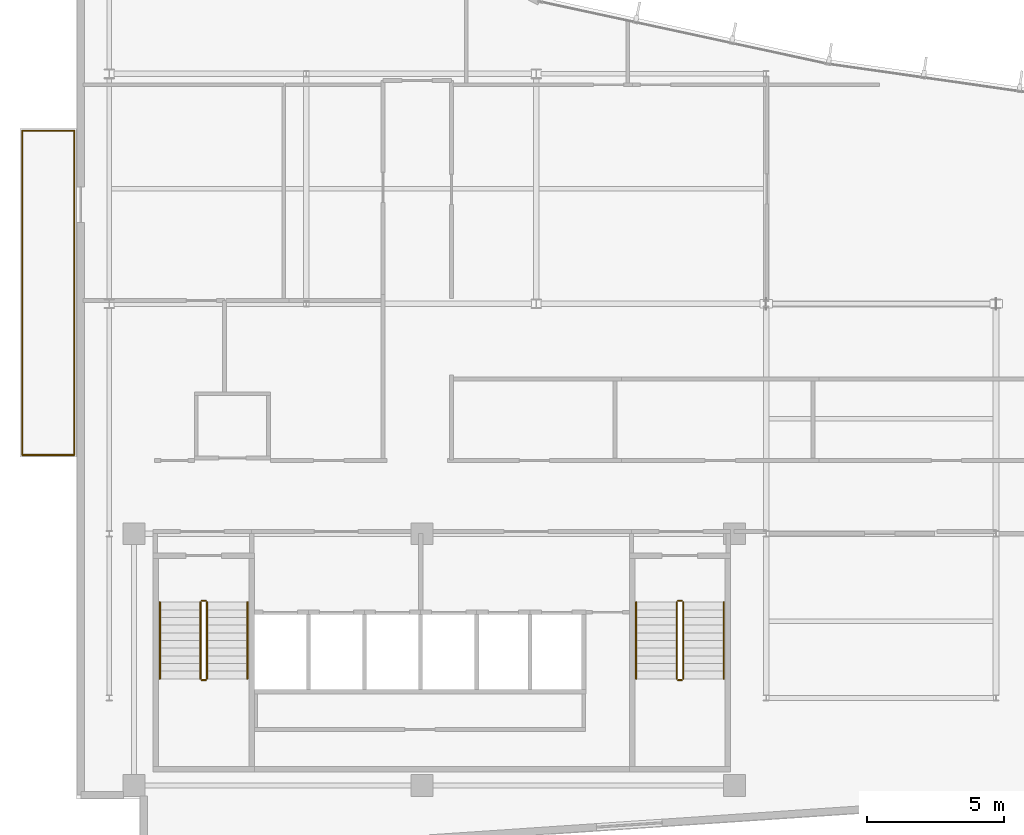
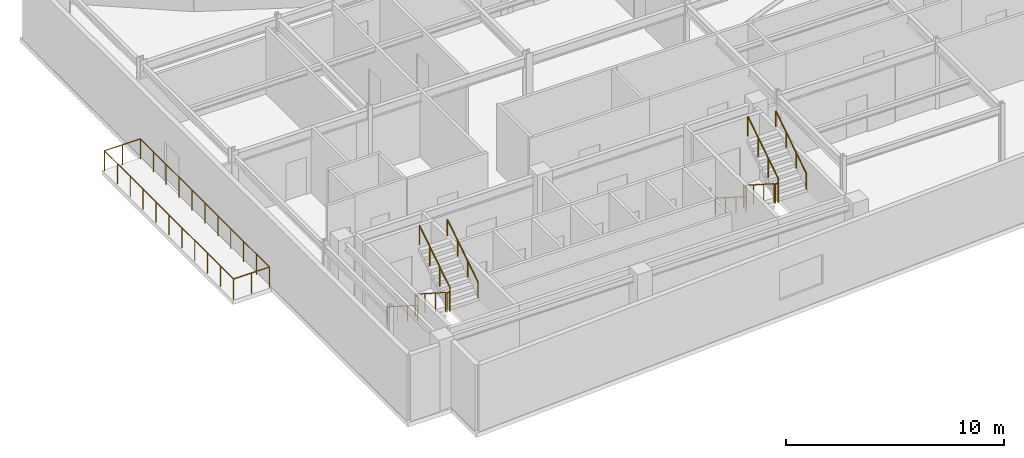
# One storey, part 14 of 16: 16 railings.
"""IFC4 building model written with IfcOpenShell, lengths in metres."""

from ifc_helpers import new_model, si_unit, direction, frame, origin, origin_2d, place, context, subcontext, project, spatial, circle, extrude, material, type_object, element, save


model = new_model("IFC4")

# Units and contexts
model_context = context("Model", 3, precision=1e-05, world=origin(), true_north=direction((0.0, 1.0)))
body_context = subcontext(model_context, "Body", "Model", "MODEL_VIEW")
ifc_project = project(units=[si_unit("LENGTHUNIT", "METRE"), si_unit("AREAUNIT", "SQUARE_METRE"), si_unit("VOLUMEUNIT", "CUBIC_METRE"), si_unit("PLANEANGLEUNIT", "RADIAN"), si_unit("MASSUNIT", "GRAM", prefix="KILO")], contexts=[model_context])

# Site, building, storey
site_placement = place(None, origin())
site = spatial("IfcSite", under=ifc_project, at=site_placement, CompositionType="ELEMENT")
building_placement = place(site_placement, origin())
building = spatial("IfcBuilding", under=site, at=building_placement, Name="Varnakote Quay Hospital", CompositionType="ELEMENT")
storey_placement = place(building_placement, frame((0.0, 0.0, 288.14990234375)))
storey = spatial("IfcBuildingStorey", under=building, at=storey_placement, Name="L71", CompositionType="ELEMENT", Elevation=288.14990234375)

# Railings
ifc_material_1 = material(Name="Anodised aluminium 6063-T6 Bronze", Category="aluminium")
railing_type_1 = type_object("IfcRailingType", Name="RLG-EXT-GUARD-1150", PredefinedType="GUARDRAIL", material=ifc_material_1)
railing_1_placement = place(storey_placement, frame((-0.075927734375, 14.8798828125, 0.0)))
element("IfcRailing", 1, at=railing_1_placement, inside=storey, type_object=railing_type_1, Name="L71 Zigzag Prow Healing Terrace Safety Guard", PredefinedType="GUARDRAIL", context=body_context, shape_type="SweptSolid", body=[
    extrude(circle(Radius=0.02392578125, at=origin_2d()), frame((0.0, 0.0, 1.1259765625), z_axis=(-1.0, 0.0, 0.0), x_axis=(0.0, -1.0, 0.0)), (0.0, 0.0, 1.0), 1.904052734375),
    extrude(circle(Radius=0.02099609375, at=origin_2d()), origin(), (0.0, 0.0, 1.0), 1.101806640625),
    extrude(circle(Radius=0.02099609375, at=origin_2d()), frame((-0.9521484375, 0.0, 0.0)), (0.0, 0.0, 1.0), 1.101806640625),
    extrude(circle(Radius=0.02099609375, at=origin_2d()), frame((-1.904052734375, 0.0, 0.0)), (0.0, 0.0, 1.0), 1.101806640625),
])
railing_2_placement = place(storey_placement, frame((-1.97998046875, 14.8798828125, 0.0)))
element("IfcRailing", 2, at=railing_2_placement, inside=storey, type_object=railing_type_1, Name="L71 Zigzag Prow Healing Terrace Safety Guard", PredefinedType="GUARDRAIL", context=body_context, shape_type="SweptSolid", body=[
    extrude(circle(Radius=0.02392578125, at=origin_2d()), frame((0.0, 0.0, 1.1259765625), z_axis=(0.0, 1.0, 0.0), x_axis=(-1.0, 0.0, 0.0)), (0.0, 0.0, 1.0), 11.840087890625),
    extrude(circle(Radius=0.02099609375, at=origin_2d()), origin(), (0.0, 0.0, 1.0), 1.101806640625),
    extrude(circle(Radius=0.02099609375, at=origin_2d()), frame((0.0, 1.18408203125, 0.0)), (0.0, 0.0, 1.0), 1.101806640625),
    extrude(circle(Radius=0.02099609375, at=origin_2d()), frame((0.0, 2.367919921875, 0.0)), (0.0, 0.0, 1.0), 1.101806640625),
    extrude(circle(Radius=0.02099609375, at=origin_2d()), frame((0.0, 3.552001953125, 0.0)), (0.0, 0.0, 1.0), 1.101806640625),
    extrude(circle(Radius=0.02099609375, at=origin_2d()), frame((0.0, 4.736083984375, 0.0)), (0.0, 0.0, 1.0), 1.101806640625),
    extrude(circle(Radius=0.02099609375, at=origin_2d()), frame((0.0, 5.919921875, 0.0)), (0.0, 0.0, 1.0), 1.101806640625),
    extrude(circle(Radius=0.02099609375, at=origin_2d()), frame((0.0, 7.10400390625, 0.0)), (0.0, 0.0, 1.0), 1.101806640625),
    extrude(circle(Radius=0.02099609375, at=origin_2d()), frame((0.0, 8.2880859375, 0.0)), (0.0, 0.0, 1.0), 1.101806640625),
    extrude(circle(Radius=0.02099609375, at=origin_2d()), frame((0.0, 9.47216796875, 0.0)), (0.0, 0.0, 1.0), 1.101806640625),
    extrude(circle(Radius=0.02099609375, at=origin_2d()), frame((0.0, 10.656005859375, 0.0)), (0.0, 0.0, 1.0), 1.101806640625),
    extrude(circle(Radius=0.02099609375, at=origin_2d()), frame((0.0, 11.840087890625, 0.0)), (0.0, 0.0, 1.0), 1.101806640625),
])
railing_3_placement = place(storey_placement, frame((-1.97998046875, 26.719970703125, 0.0)))
element("IfcRailing", 3, at=railing_3_placement, inside=storey, type_object=railing_type_1, Name="L71 Zigzag Prow Healing Terrace Safety Guard", PredefinedType="GUARDRAIL", context=body_context, shape_type="SweptSolid", body=[
    extrude(circle(Radius=0.02392578125, at=origin_2d()), frame((0.0, 0.0, 1.1259765625), z_axis=(1.0, 0.0, 0.0), x_axis=(0.0, 1.0, 0.0)), (0.0, 0.0, 1.0), 1.904052734375),
    extrude(circle(Radius=0.02099609375, at=origin_2d()), origin(), (0.0, 0.0, 1.0), 1.101806640625),
    extrude(circle(Radius=0.02099609375, at=origin_2d()), frame((0.9521484375, 0.0, 0.0)), (0.0, 0.0, 1.0), 1.101806640625),
    extrude(circle(Radius=0.02099609375, at=origin_2d()), frame((1.904052734375, 0.0, 0.0)), (0.0, 0.0, 1.0), 1.101806640625),
])
railing_4_placement = place(storey_placement, frame((-0.075927734375, 26.719970703125, 0.0)))
element("IfcRailing", 4, at=railing_4_placement, inside=storey, type_object=railing_type_1, Name="L71 Zigzag Prow Healing Terrace Safety Guard", PredefinedType="GUARDRAIL", context=body_context, shape_type="SweptSolid", body=[
    extrude(circle(Radius=0.02392578125, at=origin_2d()), frame((0.0, 0.0, 1.1259765625), z_axis=(0.0, -1.0, 0.0), x_axis=(1.0, 0.0, 0.0)), (0.0, 0.0, 1.0), 11.840087890625),
    extrude(circle(Radius=0.02099609375, at=origin_2d()), origin(), (0.0, 0.0, 1.0), 1.101806640625),
    extrude(circle(Radius=0.02099609375, at=origin_2d()), frame((0.0, -1.18408203125, 0.0)), (0.0, 0.0, 1.0), 1.101806640625),
    extrude(circle(Radius=0.02099609375, at=origin_2d()), frame((0.0, -2.367919921875, 0.0)), (0.0, 0.0, 1.0), 1.101806640625),
    extrude(circle(Radius=0.02099609375, at=origin_2d()), frame((0.0, -3.552001953125, 0.0)), (0.0, 0.0, 1.0), 1.101806640625),
    extrude(circle(Radius=0.02099609375, at=origin_2d()), frame((0.0, -4.736083984375, 0.0)), (0.0, 0.0, 1.0), 1.101806640625),
    extrude(circle(Radius=0.02099609375, at=origin_2d()), frame((0.0, -5.919921875, 0.0)), (0.0, 0.0, 1.0), 1.101806640625),
    extrude(circle(Radius=0.02099609375, at=origin_2d()), frame((0.0, -7.10400390625, 0.0)), (0.0, 0.0, 1.0), 1.101806640625),
    extrude(circle(Radius=0.02099609375, at=origin_2d()), frame((0.0, -8.2880859375, 0.0)), (0.0, 0.0, 1.0), 1.101806640625),
    extrude(circle(Radius=0.02099609375, at=origin_2d()), frame((0.0, -9.47216796875, 0.0)), (0.0, 0.0, 1.0), 1.101806640625),
    extrude(circle(Radius=0.02099609375, at=origin_2d()), frame((0.0, -10.656005859375, 0.0)), (0.0, 0.0, 1.0), 1.101806640625),
    extrude(circle(Radius=0.02099609375, at=origin_2d()), frame((0.0, -11.840087890625, 0.0)), (0.0, 0.0, 1.0), 1.101806640625),
])
ifc_material_2 = material(Name="Brushed stainless steel balustrade", Category="steel")
railing_type_2 = type_object("IfcRailingType", Name="RLG-STAIR-GUARD-1150", PredefinedType="GUARDRAIL", material=ifc_material_2)
railing_5_placement = place(storey_placement, frame((4.530029296875, 9.5, 0.1796875)))
element("IfcRailing", 5, at=railing_5_placement, inside=storey, type_object=railing_type_2, Name="L71 ST-01 stair guard 1", PredefinedType="GUARDRAIL", context=body_context, shape_type="SweptSolid", body=[
    extrude(circle(Radius=0.02392578125, at=origin_2d()), frame((0.0, 0.0, 1.076171875), z_axis=(0.0, -0.841809871826, 0.539774156196), x_axis=(1.0, 0.0, 0.0)), (0.0, 0.0, 1.0), 3.326171875),
    extrude(circle(Radius=0.02099609375, at=origin_2d()), origin(), (0.0, 0.0, 1.0), 1.052001953125),
    extrude(circle(Radius=0.02099609375, at=origin_2d()), frame((0.0, -0.933349609375, 0.598388671875)), (0.0, 0.0, 1.0), 1.052001953125),
    extrude(circle(Radius=0.02099609375, at=origin_2d()), frame((0.0, -1.86669921875, 1.197021484375)), (0.0, 0.0, 1.0), 1.052001953125),
    extrude(circle(Radius=0.02099609375, at=origin_2d()), frame((0.0, -2.800048828125, 1.79541015625)), (0.0, 0.0, 1.0), 1.052001953125),
])
railing_6_placement = place(storey_placement, frame((4.580078125, 6.64990234375, 1.97509765625)))
element("IfcRailing", 6, at=railing_6_placement, inside=storey, type_object=railing_type_2, Name="L71 ST-01 stair guard 2", PredefinedType="GUARDRAIL", context=body_context, shape_type="SweptSolid", body=[
    extrude(circle(Radius=0.02392578125, at=origin_2d()), frame((0.0, 0.0, 1.076171875), z_axis=(1.0, 0.0, 0.0), x_axis=(0.0, 1.0, 0.0)), (0.0, 0.0, 1.0), 0.139892578125),
    extrude(circle(Radius=0.02099609375, at=origin_2d()), origin(), (0.0, 0.0, 1.0), 1.052001953125),
    extrude(circle(Radius=0.02099609375, at=origin_2d()), frame((0.139892578125, 0.0, 0.0)), (0.0, 0.0, 1.0), 1.052001953125),
])
railing_7_placement = place(storey_placement, frame((4.77001953125, 6.699951171875, 2.154541015625)))
element("IfcRailing", 7, at=railing_7_placement, inside=storey, type_object=railing_type_2, Name="L71 ST-01 stair guard 3", PredefinedType="GUARDRAIL", context=body_context, shape_type="SweptSolid", body=[
    extrude(circle(Radius=0.02392578125, at=origin_2d()), frame((0.0, 0.0, 1.076171875), z_axis=(0.0, 0.841776520102, 0.539826166654), x_axis=(-1.0, 0.0, 0.0)), (0.0, 0.0, 1.0), 3.326416015625),
    extrude(circle(Radius=0.02099609375, at=origin_2d()), origin(), (0.0, 0.0, 1.0), 1.052001953125),
    extrude(circle(Radius=0.02099609375, at=origin_2d()), frame((0.0, 0.933349609375, 0.5986328125)), (0.0, 0.0, 1.0), 1.052001953125),
    extrude(circle(Radius=0.02099609375, at=origin_2d()), frame((0.0, 1.86669921875, 1.197021484375)), (0.0, 0.0, 1.0), 1.052001953125),
    extrude(circle(Radius=0.02099609375, at=origin_2d()), frame((0.0, 2.800048828125, 1.795654296875)), (0.0, 0.0, 1.0), 1.052001953125),
])
railing_8_placement = place(storey_placement, frame((4.580078125, 9.550048828125, 0.0)))
element("IfcRailing", 8, at=railing_8_placement, inside=storey, type_object=railing_type_2, Name="L71 ST-01 stair guard 4", PredefinedType="GUARDRAIL", context=body_context, shape_type="SweptSolid", body=[
    extrude(circle(Radius=0.02392578125, at=origin_2d()), frame((0.0, 0.0, 1.076171875), z_axis=(1.0, 0.0, 0.0), x_axis=(0.0, 1.0, 0.0)), (0.0, 0.0, 1.0), 0.139892578125),
    extrude(circle(Radius=0.02099609375, at=origin_2d()), origin(), (0.0, 0.0, 1.0), 1.052001953125),
    extrude(circle(Radius=0.02099609375, at=origin_2d()), frame((0.139892578125, 0.0, 0.0)), (0.0, 0.0, 1.0), 1.052001953125),
])
railing_9_placement = place(storey_placement, frame((21.929931640625, 9.5, 0.1796875)))
element("IfcRailing", 9, at=railing_9_placement, inside=storey, type_object=railing_type_2, Name="L71 ST-02 stair guard 1", PredefinedType="GUARDRAIL", context=body_context, shape_type="SweptSolid", body=[
    extrude(circle(Radius=0.02392578125, at=origin_2d()), frame((0.0, 0.0, 1.076171875), z_axis=(0.0, -0.841809871826, 0.539774156196), x_axis=(1.0, 0.0, 0.0)), (0.0, 0.0, 1.0), 3.326171875),
    extrude(circle(Radius=0.02099609375, at=origin_2d()), origin(), (0.0, 0.0, 1.0), 1.052001953125),
    extrude(circle(Radius=0.02099609375, at=origin_2d()), frame((0.0, -0.933349609375, 0.598388671875)), (0.0, 0.0, 1.0), 1.052001953125),
    extrude(circle(Radius=0.02099609375, at=origin_2d()), frame((0.0, -1.86669921875, 1.197021484375)), (0.0, 0.0, 1.0), 1.052001953125),
    extrude(circle(Radius=0.02099609375, at=origin_2d()), frame((0.0, -2.800048828125, 1.79541015625)), (0.0, 0.0, 1.0), 1.052001953125),
])
railing_10_placement = place(storey_placement, frame((21.97998046875, 6.64990234375, 1.97509765625)))
element("IfcRailing", 10, at=railing_10_placement, inside=storey, type_object=railing_type_2, Name="L71 ST-02 stair guard 2", PredefinedType="GUARDRAIL", context=body_context, shape_type="SweptSolid", body=[
    extrude(circle(Radius=0.02392578125, at=origin_2d()), frame((0.0, 0.0, 1.076171875), z_axis=(1.0, 0.0, 0.0), x_axis=(0.0, 1.0, 0.0)), (0.0, 0.0, 1.0), 0.14013671875),
    extrude(circle(Radius=0.02099609375, at=origin_2d()), origin(), (0.0, 0.0, 1.0), 1.052001953125),
    extrude(circle(Radius=0.02099609375, at=origin_2d()), frame((0.14013671875, 0.0, 0.0)), (0.0, 0.0, 1.0), 1.052001953125),
])
railing_11_placement = place(storey_placement, frame((22.169921875, 6.699951171875, 2.154541015625)))
element("IfcRailing", 11, at=railing_11_placement, inside=storey, type_object=railing_type_2, Name="L71 ST-02 stair guard 3", PredefinedType="GUARDRAIL", context=body_context, shape_type="SweptSolid", body=[
    extrude(circle(Radius=0.02392578125, at=origin_2d()), frame((0.0, 0.0, 1.076171875), z_axis=(0.0, 0.841776520102, 0.539826166654), x_axis=(-1.0, 0.0, 0.0)), (0.0, 0.0, 1.0), 3.326416015625),
    extrude(circle(Radius=0.02099609375, at=origin_2d()), origin(), (0.0, 0.0, 1.0), 1.052001953125),
    extrude(circle(Radius=0.02099609375, at=origin_2d()), frame((0.0, 0.933349609375, 0.5986328125)), (0.0, 0.0, 1.0), 1.052001953125),
    extrude(circle(Radius=0.02099609375, at=origin_2d()), frame((0.0, 1.86669921875, 1.197021484375)), (0.0, 0.0, 1.0), 1.052001953125),
    extrude(circle(Radius=0.02099609375, at=origin_2d()), frame((0.0, 2.800048828125, 1.795654296875)), (0.0, 0.0, 1.0), 1.052001953125),
])
railing_12_placement = place(storey_placement, frame((21.97998046875, 9.550048828125, 0.0)))
element("IfcRailing", 12, at=railing_12_placement, inside=storey, type_object=railing_type_2, Name="L71 ST-02 stair guard 4", PredefinedType="GUARDRAIL", context=body_context, shape_type="SweptSolid", body=[
    extrude(circle(Radius=0.02392578125, at=origin_2d()), frame((0.0, 0.0, 1.076171875), z_axis=(1.0, 0.0, 0.0), x_axis=(0.0, 1.0, 0.0)), (0.0, 0.0, 1.0), 0.14013671875),
    extrude(circle(Radius=0.02099609375, at=origin_2d()), origin(), (0.0, 0.0, 1.0), 1.052001953125),
    extrude(circle(Radius=0.02099609375, at=origin_2d()), frame((0.14013671875, 0.0, 0.0)), (0.0, 0.0, 1.0), 1.052001953125),
])
ifc_material_3 = material(Name="Brushed stainless steel handrail", Category="steel")
railing_type_3 = type_object("IfcRailingType", Name="RLG-STAIR-HND-920", PredefinedType="HANDRAIL", material=ifc_material_3)
railing_13_placement = place(storey_placement, frame((3.050048828125, 9.5, 0.1796875)))
element("IfcRailing", 13, at=railing_13_placement, inside=storey, type_object=railing_type_3, Name="L71 ST-01 stair handrail 1", PredefinedType="HANDRAIL", context=body_context, shape_type="SweptSolid", body=[
    extrude(circle(Radius=0.02392578125, at=origin_2d()), frame((0.0, 0.0, 0.8759765625), z_axis=(0.0, -0.841809871826, 0.539774156196), x_axis=(1.0, 0.0, 0.0)), (0.0, 0.0, 1.0), 3.326171875),
    extrude(circle(Radius=0.02099609375, at=origin_2d()), origin(), (0.0, 0.0, 1.0), 0.851806640625),
    extrude(circle(Radius=0.02099609375, at=origin_2d()), frame((0.0, -0.933349609375, 0.598388671875)), (0.0, 0.0, 1.0), 0.851806640625),
    extrude(circle(Radius=0.02099609375, at=origin_2d()), frame((0.0, -1.86669921875, 1.197021484375)), (0.0, 0.0, 1.0), 0.851806640625),
    extrude(circle(Radius=0.02099609375, at=origin_2d()), frame((0.0, -2.800048828125, 1.79541015625)), (0.0, 0.0, 1.0), 0.851806640625),
])
railing_14_placement = place(storey_placement, frame((6.25, 6.699951171875, 2.154541015625)))
element("IfcRailing", 14, at=railing_14_placement, inside=storey, type_object=railing_type_3, Name="L71 ST-01 stair handrail 2", PredefinedType="HANDRAIL", context=body_context, shape_type="SweptSolid", body=[
    extrude(circle(Radius=0.02392578125, at=origin_2d()), frame((0.0, 0.0, 0.8759765625), z_axis=(0.0, 0.841776520102, 0.539826166654), x_axis=(-1.0, 0.0, 0.0)), (0.0, 0.0, 1.0), 3.326416015625),
    extrude(circle(Radius=0.02099609375, at=origin_2d()), origin(), (0.0, 0.0, 1.0), 0.851806640625),
    extrude(circle(Radius=0.02099609375, at=origin_2d()), frame((0.0, 0.933349609375, 0.5986328125)), (0.0, 0.0, 1.0), 0.851806640625),
    extrude(circle(Radius=0.02099609375, at=origin_2d()), frame((0.0, 1.86669921875, 1.197021484375)), (0.0, 0.0, 1.0), 0.851806640625),
    extrude(circle(Radius=0.02099609375, at=origin_2d()), frame((0.0, 2.800048828125, 1.795654296875)), (0.0, 0.0, 1.0), 0.851806640625),
])
railing_15_placement = place(storey_placement, frame((20.449951171875, 9.5, 0.1796875)))
element("IfcRailing", 15, at=railing_15_placement, inside=storey, type_object=railing_type_3, Name="L71 ST-02 stair handrail 1", PredefinedType="HANDRAIL", context=body_context, shape_type="SweptSolid", body=[
    extrude(circle(Radius=0.02392578125, at=origin_2d()), frame((0.0, 0.0, 0.8759765625), z_axis=(0.0, -0.841809871826, 0.539774156196), x_axis=(1.0, 0.0, 0.0)), (0.0, 0.0, 1.0), 3.326171875),
    extrude(circle(Radius=0.02099609375, at=origin_2d()), origin(), (0.0, 0.0, 1.0), 0.851806640625),
    extrude(circle(Radius=0.02099609375, at=origin_2d()), frame((0.0, -0.933349609375, 0.598388671875)), (0.0, 0.0, 1.0), 0.851806640625),
    extrude(circle(Radius=0.02099609375, at=origin_2d()), frame((0.0, -1.86669921875, 1.197021484375)), (0.0, 0.0, 1.0), 0.851806640625),
    extrude(circle(Radius=0.02099609375, at=origin_2d()), frame((0.0, -2.800048828125, 1.79541015625)), (0.0, 0.0, 1.0), 0.851806640625),
])
railing_16_placement = place(storey_placement, frame((23.64990234375, 6.699951171875, 2.154541015625)))
element("IfcRailing", 16, at=railing_16_placement, inside=storey, type_object=railing_type_3, Name="L71 ST-02 stair handrail 2", PredefinedType="HANDRAIL", context=body_context, shape_type="SweptSolid", body=[
    extrude(circle(Radius=0.02392578125, at=origin_2d()), frame((0.0, 0.0, 0.8759765625), z_axis=(0.0, 0.841776520102, 0.539826166654), x_axis=(-1.0, 0.0, 0.0)), (0.0, 0.0, 1.0), 3.326416015625),
    extrude(circle(Radius=0.02099609375, at=origin_2d()), origin(), (0.0, 0.0, 1.0), 0.851806640625),
    extrude(circle(Radius=0.02099609375, at=origin_2d()), frame((0.0, 0.933349609375, 0.5986328125)), (0.0, 0.0, 1.0), 0.851806640625),
    extrude(circle(Radius=0.02099609375, at=origin_2d()), frame((0.0, 1.86669921875, 1.197021484375)), (0.0, 0.0, 1.0), 0.851806640625),
    extrude(circle(Radius=0.02099609375, at=origin_2d()), frame((0.0, 2.800048828125, 1.795654296875)), (0.0, 0.0, 1.0), 0.851806640625),
])

save(model, "model.ifc")
